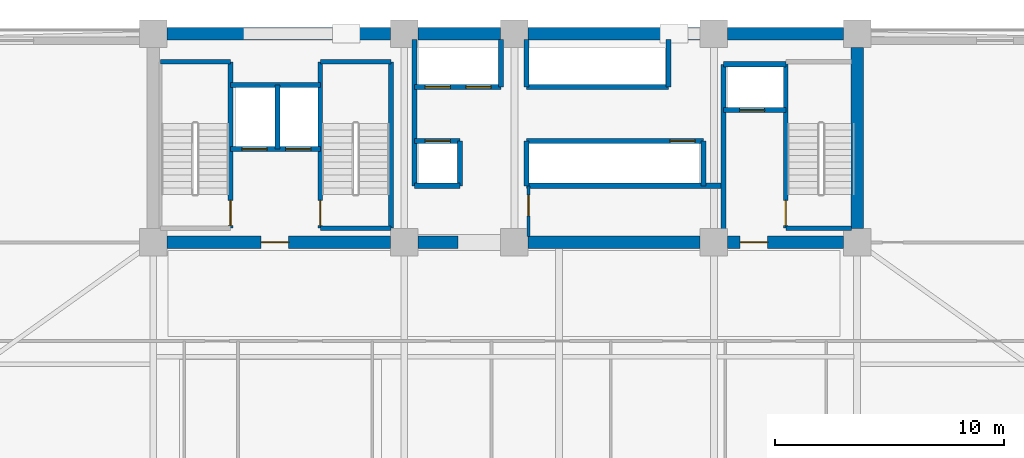
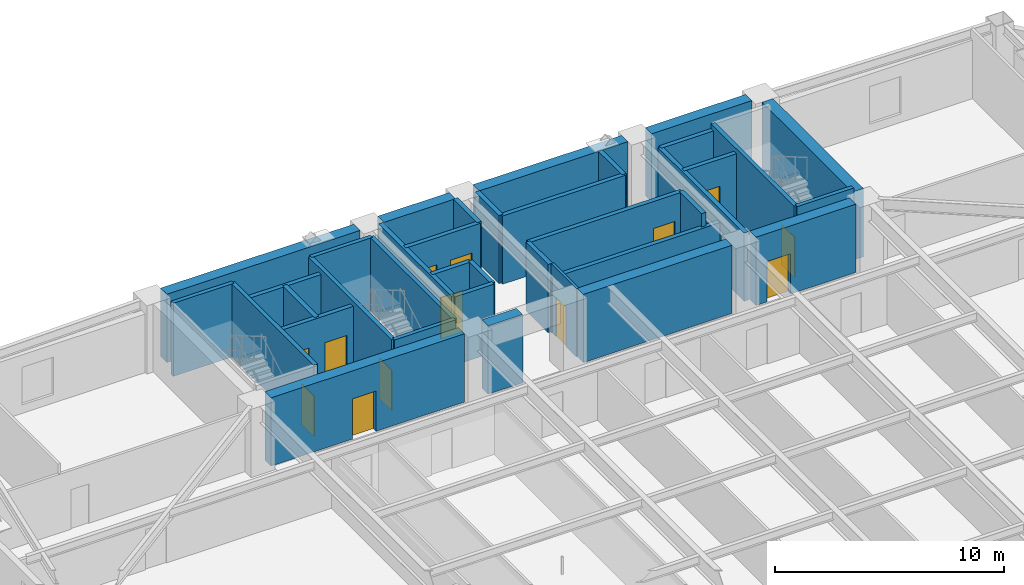
# One storey, part 9 of 15: 37 walls, 13 doors, 13 openings.
"""IFC4 building model written with IfcOpenShell, lengths in metres."""

from ifc_helpers import new_model, si_unit, direction, frame, frame_2d, origin, place, context, subcontext, project, spatial, rectangle, extrude, source, transform, mapped, material, layer, layer_set, type_object, element, fill, save


model = new_model("IFC4")

# Units and contexts
model_context = context("Model", 3, precision=1e-05, world=origin(), true_north=direction((0.0, 1.0)))
body_context = subcontext(model_context, "Body", "Model", "MODEL_VIEW")
ifc_project = project(units=[si_unit("LENGTHUNIT", "METRE"), si_unit("AREAUNIT", "SQUARE_METRE"), si_unit("VOLUMEUNIT", "CUBIC_METRE"), si_unit("PLANEANGLEUNIT", "RADIAN"), si_unit("MASSUNIT", "GRAM", prefix="KILO")], contexts=[model_context])

# Site, building, storey
site_placement = place(None, origin())
site = spatial("IfcSite", under=ifc_project, at=site_placement, CompositionType="ELEMENT")
building_placement = place(site_placement, origin())
building = spatial("IfcBuilding", under=site, at=building_placement, Name="Giltprow Tower", CompositionType="ELEMENT")
storey_placement = place(building_placement, frame((0.0, 0.0, 127.0)))
storey = spatial("IfcBuildingStorey", under=building, at=storey_placement, Name="L31", CompositionType="ELEMENT", Elevation=127.0)

# Wall, openings, doors
ifc_material_1 = material(Name="Concrete C40", Category="concrete")
ifc_layer_1 = layer(ifc_material_1, 0.219970703125, Name="Concrete C40")
ifc_layer_set_1 = layer_set([ifc_layer_1], Name="Concrete C40")
wall_type_1 = type_object("IfcWallType", Name="IW-SHAFT-220", PredefinedType="SOLIDWALL", material=ifc_layer_set_1)
wall_1_placement = place(storey_placement, frame((23.219970703125, 41.52001953125, 0.0), z_axis=(0.0, 0.0, 1.0), x_axis=(1.0, 0.0, 0.0)))
wall_1 = element("IfcWall", 1, at=wall_1_placement, inside=storey, type_object=wall_type_1, Name="L31 FFL1 and Service Lift Front Wall", PredefinedType="SOLIDWALL", context=body_context, shape_type="SweptSolid", body=[
    extrude(rectangle(XDim=3.919921875, YDim=0.219970703125, at=frame_2d((1.9599609375, 0.0))), origin(), (0.0, 0.0, 1.0), 3.639892578125),
])
opening_1_placement = place(wall_1_placement, frame((0.5, 0.0, 0.0)))
opening_1 = element("IfcOpeningElement", 2, at=opening_1_placement, cuts=wall_1, Name="Opening LD-11", PredefinedType="OPENING", context=body_context, shape_type="SweptSolid", body=[
    extrude(rectangle(XDim=1.10009765625, YDim=2.199951171875, at=frame_2d((0.550048828125, 1.10009765625))), frame((0.0, 0.119873046875, 0.0), z_axis=(0.0, -1.0, 0.0), x_axis=(1.0, 0.0, 0.0)), (0.0, 0.0, 1.0), 0.239990234375),
])
opening_2_placement = place(wall_1_placement, frame((2.39990234375, 0.0, 0.0)))
opening_2 = element("IfcOpeningElement", 3, at=opening_2_placement, cuts=wall_1, Name="Opening LD-11", PredefinedType="OPENING", context=body_context, shape_type="SweptSolid", body=[
    extrude(rectangle(XDim=1.10009765625, YDim=2.199951171875, at=frame_2d((0.550048828125, 1.10009765625))), frame((0.0, 0.119873046875, 0.0), z_axis=(0.0, -1.0, 0.0), x_axis=(1.0, 0.0, 0.0)), (0.0, 0.0, 1.0), 0.239990234375),
])
ifc_material_2 = material(Name="Stainless steel", Category="steel")
door_type_1 = type_object("IfcDoorType", Name="DR-LIFT-LD1100", OperationType="SLIDING_TO_LEFT", PredefinedType="DOOR", material=ifc_material_2)
shared_shape_1 = source(origin(), body_context, "Body", "SweptSolid", [
    extrude(rectangle(XDim=1.10009765625, YDim=2.199951171875, at=frame_2d((0.550048828125, 1.10009765625))), frame((0.0, 0.02490234375, 0.0), z_axis=(0.0, -1.0, 0.0), x_axis=(1.0, 0.0, 0.0)), (0.0, 0.0, 1.0), 0.050048828125),
])
door_1_placement = place(opening_1_placement, origin())
door_1 = element("IfcDoor", 4, at=door_1_placement, inside=storey, type_object=door_type_1, Name="L31 FFL1 Landing Door", OperationType="SLIDING_TO_LEFT", OverallHeight=2.199951171875, OverallWidth=1.10009765625, PredefinedType="DOOR", context=body_context, shape_type="MappedRepresentation", body=[
    mapped(shared_shape_1, transform((0.0, 0.0, 0.0), x_axis=(1.0, 0.0, 0.0), y_axis=(0.0, 1.0, 0.0), z_axis=(0.0, 0.0, 1.0), scale=1.0)),
])
fill(opening_1, door_1)
door_2_placement = place(opening_2_placement, origin())
door_2 = element("IfcDoor", 5, at=door_2_placement, inside=storey, type_object=door_type_1, Name="L31 SVL1 Landing Door", OperationType="SLIDING_TO_LEFT", OverallHeight=2.199951171875, OverallWidth=1.10009765625, PredefinedType="DOOR", context=body_context, shape_type="MappedRepresentation", body=[
    mapped(shared_shape_1, transform((0.0, 0.0, 0.0), x_axis=(1.0, 0.0, 0.0), y_axis=(0.0, 1.0, 0.0), z_axis=(0.0, 0.0, 1.0), scale=1.0)),
])
fill(opening_2, door_2)

# Walls
wall_2_placement = place(storey_placement, frame((25.260009765625, 41.52001953125, 0.0), z_axis=(0.0, 0.0, 1.0), x_axis=(0.0, 1.0, 0.0)))
element("IfcWall", 6, at=wall_2_placement, inside=storey, type_object=wall_type_1, Name="L31 FFL1-SVL1 Shaft Divider", PredefinedType="SOLIDWALL", context=body_context, shape_type="SweptSolid", body=[
    extrude(rectangle(XDim=2.800048828125, YDim=0.219970703125, at=frame_2d((1.39990234375, 0.0))), origin(), (0.0, 0.0, 1.0), 3.639892578125),
])
wall_3_placement = place(storey_placement, frame((23.219970703125, 44.320068359375, 0.0), z_axis=(0.0, 0.0, 1.0), x_axis=(1.0, 0.0, 0.0)))
element("IfcWall", 7, at=wall_3_placement, inside=storey, type_object=wall_type_1, Name="L31 FFL1-SVL1 Back Shaft Wall", PredefinedType="SOLIDWALL", context=body_context, shape_type="SweptSolid", body=[
    extrude(rectangle(XDim=3.919921875, YDim=0.219970703125, at=frame_2d((1.9599609375, 0.0))), origin(), (0.0, 0.0, 1.0), 3.639892578125),
])

# Wall, opening, door
wall_4_placement = place(storey_placement, frame((44.719970703125, 43.219970703125, 0.0), z_axis=(0.0, 0.0, 1.0), x_axis=(1.0, 0.0, 0.0)))
wall_4 = element("IfcWall", 8, at=wall_4_placement, inside=storey, type_object=wall_type_1, Name="L31 FFL2 Front Shaft Wall", PredefinedType="SOLIDWALL", context=body_context, shape_type="SweptSolid", body=[
    extrude(rectangle(XDim=2.719970703125, YDim=0.219970703125, at=frame_2d((1.35986328125, 0.0))), origin(), (0.0, 0.0, 1.0), 3.639892578125),
])
opening_3_placement = place(wall_4_placement, frame((0.699951171875, 0.0, 0.0)))
opening_3 = element("IfcOpeningElement", 9, at=opening_3_placement, cuts=wall_4, Name="Opening LD-11", PredefinedType="OPENING", context=body_context, shape_type="SweptSolid", body=[
    extrude(rectangle(XDim=1.10009765625, YDim=2.199951171875, at=frame_2d((0.550048828125, 1.10009765625))), frame((0.0, 0.119873046875, 0.0), z_axis=(0.0, -1.0, 0.0), x_axis=(1.0, 0.0, 0.0)), (0.0, 0.0, 1.0), 0.239990234375),
])
door_3_placement = place(opening_3_placement, origin())
door_3 = element("IfcDoor", 10, at=door_3_placement, inside=storey, type_object=door_type_1, Name="L31 FFL2 Landing Door", OperationType="SLIDING_TO_LEFT", OverallHeight=2.199951171875, OverallWidth=1.10009765625, PredefinedType="DOOR", context=body_context, shape_type="MappedRepresentation", body=[
    mapped(shared_shape_1, transform((0.0, 0.0, 0.0), x_axis=(1.0, 0.0, 0.0), y_axis=(0.0, 1.0, 0.0), z_axis=(0.0, 0.0, 1.0), scale=1.0)),
])
fill(opening_3, door_3)

# Walls
wall_5_placement = place(storey_placement, frame((44.719970703125, 45.219970703125, 0.0), z_axis=(0.0, 0.0, 1.0), x_axis=(1.0, 0.0, 0.0)))
element("IfcWall", 11, at=wall_5_placement, inside=storey, type_object=wall_type_1, Name="L31 FFL2 Back Shaft Wall", PredefinedType="SOLIDWALL", context=body_context, shape_type="SweptSolid", body=[
    extrude(rectangle(XDim=2.719970703125, YDim=0.219970703125, at=frame_2d((1.35986328125, 0.0))), origin(), (0.0, 0.0, 1.0), 3.639892578125),
])
wall_6_placement = place(storey_placement, frame((44.719970703125, 37.705078125, 0.0), z_axis=(0.0, 0.0, 1.0), x_axis=(0.0, 1.0, 0.0)))
element("IfcWall", 12, at=wall_6_placement, inside=storey, type_object=wall_type_1, Name="L31 East Firefighting Lobby West Wall", PredefinedType="SOLIDWALL", context=body_context, shape_type="SweptSolid", body=[
    extrude(rectangle(XDim=7.514892578125, YDim=0.219970703125, at=frame_2d((3.75732421875, 0.0))), origin(), (0.0, 0.0, 1.0), 3.639892578125),
])

# Wall, openings, doors
wall_7_placement = place(storey_placement, frame((31.25, 44.219970703125, 0.0), z_axis=(0.0, 0.0, 1.0), x_axis=(1.0, 0.0, 0.0)))
wall_7 = element("IfcWall", 13, at=wall_7_placement, inside=storey, type_object=wall_type_1, Name="L31 North West Lift Shaft Front Wall", PredefinedType="SOLIDWALL", context=body_context, shape_type="SweptSolid", body=[
    extrude(rectangle(XDim=3.77001953125, YDim=0.219970703125, at=frame_2d((1.885009765625, 0.0))), origin(), (0.0, 0.0, 1.0), 3.639892578125),
])
opening_4_placement = place(wall_7_placement, frame((0.4599609375, 0.0, 0.0)))
opening_4 = element("IfcOpeningElement", 14, at=opening_4_placement, cuts=wall_7, Name="Opening LD-11", PredefinedType="OPENING", context=body_context, shape_type="SweptSolid", body=[
    extrude(rectangle(XDim=1.10009765625, YDim=2.199951171875, at=frame_2d((0.550048828125, 1.10009765625))), frame((0.0, 0.119873046875, 0.0), z_axis=(0.0, -1.0, 0.0), x_axis=(1.0, 0.0, 0.0)), (0.0, 0.0, 1.0), 0.239990234375),
])
opening_5_placement = place(wall_7_placement, frame((2.239990234375, 0.0, 0.0)))
opening_5 = element("IfcOpeningElement", 15, at=opening_5_placement, cuts=wall_7, Name="Opening LD-11", PredefinedType="OPENING", context=body_context, shape_type="SweptSolid", body=[
    extrude(rectangle(XDim=1.10009765625, YDim=2.199951171875, at=frame_2d((0.550048828125, 1.10009765625))), frame((0.0, 0.119873046875, 0.0), z_axis=(0.0, -1.0, 0.0), x_axis=(1.0, 0.0, 0.0)), (0.0, 0.0, 1.0), 0.239990234375),
])
door_4_placement = place(opening_4_placement, origin())
door_4 = element("IfcDoor", 16, at=door_4_placement, inside=storey, type_object=door_type_1, Name="L31 PL-L1 Landing Door", OperationType="SLIDING_TO_LEFT", OverallHeight=2.199951171875, OverallWidth=1.10009765625, PredefinedType="DOOR", context=body_context, shape_type="MappedRepresentation", body=[
    mapped(shared_shape_1, transform((0.0, 0.0, 0.0), x_axis=(1.0, 0.0, 0.0), y_axis=(0.0, 1.0, 0.0), z_axis=(0.0, 0.0, 1.0), scale=1.0)),
])
fill(opening_4, door_4)
door_5_placement = place(opening_5_placement, origin())
door_5 = element("IfcDoor", 17, at=door_5_placement, inside=storey, type_object=door_type_1, Name="L31 PL-L2 Landing Door", OperationType="SLIDING_TO_LEFT", OverallHeight=2.199951171875, OverallWidth=1.10009765625, PredefinedType="DOOR", context=body_context, shape_type="MappedRepresentation", body=[
    mapped(shared_shape_1, transform((0.0, 0.0, 0.0), x_axis=(1.0, 0.0, 0.0), y_axis=(0.0, 1.0, 0.0), z_axis=(0.0, 0.0, 1.0), scale=1.0)),
])
fill(opening_5, door_5)

# Walls
wall_8_placement = place(storey_placement, frame((36.1201171875, 44.219970703125, 0.0), z_axis=(0.0, 0.0, 1.0), x_axis=(1.0, 0.0, 0.0)))
element("IfcWall", 18, at=wall_8_placement, inside=storey, type_object=wall_type_1, Name="L31 North East Lift Shaft Front Wall", PredefinedType="SOLIDWALL", context=body_context, shape_type="SweptSolid", body=[
    extrude(rectangle(XDim=6.199951171875, YDim=0.219970703125, at=frame_2d((3.10009765625, 0.0))), origin(), (0.0, 0.0, 1.0), 3.639892578125),
])
for number, where, z_axis, x_axis, name in (
    (19, (35.02001953125, 44.219970703125, 0.0), (0.0, 0.0, 1.0), (0.0, 1.0, 0.0), "L31 North West Lift Shaft East Closure"),
    (20, (36.1201171875, 44.219970703125, 0.0), (0.0, 0.0, 1.0), (0.0, 1.0, 0.0), "L31 North East Lift Shaft West Closure"),
    (21, (42.320068359375, 44.219970703125, 0.0), (0.0, 0.0, 1.0), (0.0, 1.0, 0.0), "L31 North East Lift Shaft East Closure"),
):
    element("IfcWall", number, at=place(storey_placement, frame(where, z_axis=z_axis, x_axis=x_axis)), inside=storey, type_object=wall_type_1, Name=name, PredefinedType="SOLIDWALL", context=body_context, shape_type="SweptSolid", body=[
        extrude(rectangle(XDim=2.074951171875, YDim=0.219970703125, at=frame_2d((1.03759765625, 0.0))), origin(), (0.0, 0.0, 1.0), 3.639892578125),
    ])

# Wall, opening, door
wall_9_placement = place(storey_placement, frame((31.25, 41.8798828125, 0.0), z_axis=(0.0, 0.0, 1.0), x_axis=(1.0, 0.0, 0.0)))
wall_9 = element("IfcWall", 22, at=wall_9_placement, inside=storey, type_object=wall_type_1, Name="L31 South West Lift Shaft Front Wall", PredefinedType="SOLIDWALL", context=body_context, shape_type="SweptSolid", body=[
    extrude(rectangle(XDim=1.969970703125, YDim=0.219970703125, at=frame_2d((0.98486328125, 0.0))), origin(), (0.0, 0.0, 1.0), 3.639892578125),
])
opening_6_placement = place(wall_9_placement, frame((0.4599609375, 0.0, 0.0)))
opening_6 = element("IfcOpeningElement", 23, at=opening_6_placement, cuts=wall_9, Name="Opening LD-11", PredefinedType="OPENING", context=body_context, shape_type="SweptSolid", body=[
    extrude(rectangle(XDim=1.10009765625, YDim=2.199951171875, at=frame_2d((0.550048828125, 1.10009765625))), frame((0.0, 0.119873046875, 0.0), z_axis=(0.0, -1.0, 0.0), x_axis=(1.0, 0.0, 0.0)), (0.0, 0.0, 1.0), 0.239990234375),
])
door_6_placement = place(opening_6_placement, origin())
door_6 = element("IfcDoor", 24, at=door_6_placement, inside=storey, type_object=door_type_1, Name="L31 PL-L3 Landing Door", OperationType="SLIDING_TO_LEFT", OverallHeight=2.199951171875, OverallWidth=1.10009765625, PredefinedType="DOOR", context=body_context, shape_type="MappedRepresentation", body=[
    mapped(shared_shape_1, transform((0.0, 0.0, 0.0), x_axis=(1.0, 0.0, 0.0), y_axis=(0.0, 1.0, 0.0), z_axis=(0.0, 0.0, 1.0), scale=1.0)),
])
fill(opening_6, door_6)

wall_10_placement = place(storey_placement, frame((36.1201171875, 41.8798828125, 0.0), z_axis=(0.0, 0.0, 1.0), x_axis=(1.0, 0.0, 0.0)))
wall_10 = element("IfcWall", 25, at=wall_10_placement, inside=storey, type_object=wall_type_1, Name="L31 South East Lift Shaft Front Wall", PredefinedType="SOLIDWALL", context=body_context, shape_type="SweptSolid", body=[
    extrude(rectangle(XDim=7.72998046875, YDim=0.219970703125, at=frame_2d((3.864990234375, 0.0))), origin(), (0.0, 0.0, 1.0), 3.639892578125),
])
opening_7_placement = place(wall_10_placement, frame((6.260009765625, 0.0, 0.0)))
opening_7 = element("IfcOpeningElement", 26, at=opening_7_placement, cuts=wall_10, Name="Opening LD-11", PredefinedType="OPENING", context=body_context, shape_type="SweptSolid", body=[
    extrude(rectangle(XDim=1.10009765625, YDim=2.199951171875, at=frame_2d((0.550048828125, 1.10009765625))), frame((0.0, 0.119873046875, 0.0), z_axis=(0.0, -1.0, 0.0), x_axis=(1.0, 0.0, 0.0)), (0.0, 0.0, 1.0), 0.239990234375),
])
door_7_placement = place(opening_7_placement, origin())
door_7 = element("IfcDoor", 27, at=door_7_placement, inside=storey, type_object=door_type_1, Name="L31 PL-L4 Landing Door", OperationType="SLIDING_TO_LEFT", OverallHeight=2.199951171875, OverallWidth=1.10009765625, PredefinedType="DOOR", context=body_context, shape_type="MappedRepresentation", body=[
    mapped(shared_shape_1, transform((0.0, 0.0, 0.0), x_axis=(1.0, 0.0, 0.0), y_axis=(0.0, 1.0, 0.0), z_axis=(0.0, 0.0, 1.0), scale=1.0)),
])
fill(opening_7, door_7)

# Walls
wall_11_placement = place(storey_placement, frame((31.25, 39.919921875, 0.0), z_axis=(0.0, 0.0, 1.0), x_axis=(1.0, 0.0, 0.0)))
element("IfcWall", 28, at=wall_11_placement, inside=storey, type_object=wall_type_1, Name="L31 Low-Rise South Lift Back Wall", PredefinedType="SOLIDWALL", context=body_context, shape_type="SweptSolid", body=[
    extrude(rectangle(XDim=1.969970703125, YDim=0.219970703125, at=frame_2d((0.98486328125, 0.0))), origin(), (0.0, 0.0, 1.0), 3.639892578125),
])
wall_12_placement = place(storey_placement, frame((33.219970703125, 39.919921875, 0.0), z_axis=(0.0, 0.0, 1.0), x_axis=(0.0, 1.0, 0.0)))
element("IfcWall", 29, at=wall_12_placement, inside=storey, type_object=wall_type_1, Name="L31 Low-Rise South Lift East Closure", PredefinedType="SOLIDWALL", context=body_context, shape_type="SweptSolid", body=[
    extrude(rectangle(XDim=1.9599609375, YDim=0.219970703125, at=frame_2d((0.97998046875, 0.0))), origin(), (0.0, 0.0, 1.0), 3.639892578125),
])
wall_13_placement = place(storey_placement, frame((36.1201171875, 39.919921875, 0.0), z_axis=(0.0, 0.0, 1.0), x_axis=(1.0, 0.0, 0.0)))
element("IfcWall", 30, at=wall_13_placement, inside=storey, type_object=wall_type_1, Name="L31 Express South Shaft Back Wall", PredefinedType="SOLIDWALL", context=body_context, shape_type="SweptSolid", body=[
    extrude(rectangle(XDim=8.599853515625, YDim=0.219970703125, at=frame_2d((4.2998046875, 0.0))), origin(), (0.0, 0.0, 1.0), 2.925048828125),
])
wall_14_placement = place(storey_placement, frame((36.1201171875, 39.919921875, 0.0), z_axis=(0.0, 0.0, 1.0), x_axis=(0.0, 1.0, 0.0)))
element("IfcWall", 31, at=wall_14_placement, inside=storey, type_object=wall_type_1, Name="L31 Express South Shaft West Closure", PredefinedType="SOLIDWALL", context=body_context, shape_type="SweptSolid", body=[
    extrude(rectangle(XDim=1.9599609375, YDim=0.219970703125, at=frame_2d((0.97998046875, 0.0))), origin(), (0.0, 0.0, 1.0), 3.639892578125),
])
wall_15_placement = place(storey_placement, frame((31.25, 39.919921875, 0.0), z_axis=(0.0, 0.0, 1.0), x_axis=(0.0, 1.0, 0.0)))
element("IfcWall", 32, at=wall_15_placement, inside=storey, type_object=wall_type_1, Name="L31 Lift Bank West Closure", PredefinedType="SOLIDWALL", context=body_context, shape_type="SweptSolid", body=[
    extrude(rectangle(XDim=6.375, YDim=0.219970703125, at=frame_2d((3.1875, 0.0))), origin(), (0.0, 0.0, 1.0), 3.639892578125),
])
wall_16_placement = place(storey_placement, frame((43.85009765625, 39.919921875, 0.0), z_axis=(0.0, 0.0, 1.0), x_axis=(0.0, 1.0, 0.0)))
element("IfcWall", 33, at=wall_16_placement, inside=storey, type_object=wall_type_1, Name="L31 Lift Bank South-East Closure", PredefinedType="SOLIDWALL", context=body_context, shape_type="SweptSolid", body=[
    extrude(rectangle(XDim=1.9599609375, YDim=0.219970703125, at=frame_2d((0.97998046875, 0.0))), origin(), (0.0, 0.0, 1.0), 3.639892578125),
])

# Wall, opening, door
ifc_layer_2 = layer(ifc_material_1, 0.199951171875, Name="Concrete C40")
ifc_layer_set_2 = layer_set([ifc_layer_2], Name="Concrete C40")
wall_type_2 = type_object("IfcWallType", Name="IW-STAIR-200", PredefinedType="SOLIDWALL", material=ifc_layer_set_2)
wall_17_placement = place(storey_placement, frame((23.219970703125, 38.070068359375, 0.0), z_axis=(0.0, 0.0, 1.0), x_axis=(0.0, 1.0, 0.0)))
wall_17 = element("IfcWall", 34, at=wall_17_placement, inside=storey, type_object=wall_type_2, Name="L31 Stair ST-1 East Bearing Wall", PredefinedType="SOLIDWALL", context=body_context, shape_type="SweptSolid", body=[
    extrude(rectangle(XDim=7.25, YDim=0.199951171875, at=frame_2d((3.625, 0.0))), origin(), (0.0, 0.0, 1.0), 3.89990234375),
])
opening_8_placement = place(wall_17_placement, frame((0.110107421875, 0.0, 0.0)))
opening_8 = element("IfcOpeningElement", 35, at=opening_8_placement, cuts=wall_17, Name="Opening ID33", PredefinedType="OPENING", context=body_context, shape_type="SweptSolid", body=[
    extrude(rectangle(XDim=1.10009765625, YDim=2.14990234375, at=frame_2d((0.550048828125, 1.074951171875))), frame((0.0, 0.10986328125, 0.0), z_axis=(0.0, -1.0, 0.0), x_axis=(1.0, 0.0, 0.0)), (0.0, 0.0, 1.0), 0.219970703125),
])
ifc_material_3 = material(Name="Steel fire leaf", Category="steel")
door_type_2 = type_object("IfcDoorType", Name="DR-STAIR-1100", OperationType="SINGLE_SWING_LEFT", PredefinedType="DOOR", material=ifc_material_3)
shared_shape_2 = source(origin(), body_context, "Body", "SweptSolid", [
    extrude(rectangle(XDim=1.10009765625, YDim=2.14990234375, at=frame_2d((0.550048828125, 1.074951171875))), frame((0.0, 0.02490234375, 0.0), z_axis=(0.0, -1.0, 0.0), x_axis=(1.0, 0.0, 0.0)), (0.0, 0.0, 1.0), 0.050048828125),
])
door_8_placement = place(opening_8_placement, origin())
door_8 = element("IfcDoor", 36, at=door_8_placement, inside=storey, type_object=door_type_2, Name="L31 Stair ST-1 Fire Door", OperationType="SINGLE_SWING_RIGHT", OverallHeight=2.14990234375, OverallWidth=1.10009765625, PredefinedType="DOOR", context=body_context, shape_type="MappedRepresentation", body=[
    mapped(shared_shape_2, transform((0.0, 0.0, 0.0), x_axis=(1.0, 0.0, 0.0), y_axis=(0.0, 1.0, 0.0), z_axis=(0.0, 0.0, 1.0), scale=1.0)),
])
fill(opening_8, door_8)

# Wall
wall_18_placement = place(storey_placement, frame((20.169921875, 45.320068359375, 0.0), z_axis=(0.0, 0.0, 1.0), x_axis=(1.0, 0.0, 0.0)))
element("IfcWall", 37, at=wall_18_placement, inside=storey, type_object=wall_type_2, Name="L31 Stair ST-1 North Bearing Wall", PredefinedType="SOLIDWALL", context=body_context, shape_type="SweptSolid", body=[
    extrude(rectangle(XDim=3.050048828125, YDim=0.199951171875, at=frame_2d((1.52490234375, 0.0))), origin(), (0.0, 0.0, 1.0), 3.89990234375),
])

# Wall, opening, door
wall_19_placement = place(storey_placement, frame((27.139892578125, 38.070068359375, 0.0), z_axis=(0.0, 0.0, 1.0), x_axis=(0.0, 1.0, 0.0)))
wall_19 = element("IfcWall", 38, at=wall_19_placement, inside=storey, type_object=wall_type_2, Name="L31 Stair ST-2 West Bearing Wall", PredefinedType="SOLIDWALL", context=body_context, shape_type="SweptSolid", body=[
    extrude(rectangle(XDim=7.25, YDim=0.199951171875, at=frame_2d((3.625, 0.0))), origin(), (0.0, 0.0, 1.0), 3.89990234375),
])
opening_9_placement = place(wall_19_placement, frame((0.110107421875, 0.0, 0.0)))
opening_9 = element("IfcOpeningElement", 39, at=opening_9_placement, cuts=wall_19, Name="Opening ID33", PredefinedType="OPENING", context=body_context, shape_type="SweptSolid", body=[
    extrude(rectangle(XDim=1.10009765625, YDim=2.14990234375, at=frame_2d((0.550048828125, 1.074951171875))), frame((0.0, 0.10986328125, 0.0), z_axis=(0.0, -1.0, 0.0), x_axis=(1.0, 0.0, 0.0)), (0.0, 0.0, 1.0), 0.219970703125),
])
door_9_placement = place(opening_9_placement, origin())
door_9 = element("IfcDoor", 40, at=door_9_placement, inside=storey, type_object=door_type_2, Name="L31 Stair ST-2 Fire Door", OperationType="SINGLE_SWING_LEFT", OverallHeight=2.14990234375, OverallWidth=1.10009765625, PredefinedType="DOOR", context=body_context, shape_type="MappedRepresentation", body=[
    mapped(shared_shape_2, transform((0.0, 0.0, 0.0), x_axis=(1.0, 0.0, 0.0), y_axis=(0.0, 1.0, 0.0), z_axis=(0.0, 0.0, 1.0), scale=1.0)),
])
fill(opening_9, door_9)

# Walls
wall_20_placement = place(storey_placement, frame((30.219970703125, 38.070068359375, 0.0), z_axis=(0.0, 0.0, 1.0), x_axis=(0.0, 1.0, 0.0)))
element("IfcWall", 41, at=wall_20_placement, inside=storey, type_object=wall_type_2, Name="L31 Stair ST-2 East Bearing Wall", PredefinedType="SOLIDWALL", context=body_context, shape_type="SweptSolid", body=[
    extrude(rectangle(XDim=7.25, YDim=0.199951171875, at=frame_2d((3.625, 0.0))), origin(), (0.0, 0.0, 1.0), 3.89990234375),
])
for number, where, z_axis, x_axis, name in (
    (42, (27.139892578125, 45.320068359375, 0.0), (0.0, 0.0, 1.0), (1.0, 0.0, 0.0), "L31 Stair ST-2 North Bearing Wall"),
    (43, (27.139892578125, 38.070068359375, 0.0), (0.0, 0.0, 1.0), (1.0, 0.0, 0.0), "L31 Stair ST-2 South Bearing Wall"),
):
    element("IfcWall", number, at=place(storey_placement, frame(where, z_axis=z_axis, x_axis=x_axis)), inside=storey, type_object=wall_type_2, Name=name, PredefinedType="SOLIDWALL", context=body_context, shape_type="SweptSolid", body=[
        extrude(rectangle(XDim=3.080078125, YDim=0.199951171875, at=frame_2d((1.5400390625, 0.0))), origin(), (0.0, 0.0, 1.0), 3.89990234375),
    ])

# Wall, opening, door
wall_21_placement = place(storey_placement, frame((47.43994140625, 38.070068359375, 0.0), z_axis=(0.0, 0.0, 1.0), x_axis=(0.0, 1.0, 0.0)))
wall_21 = element("IfcWall", 44, at=wall_21_placement, inside=storey, type_object=wall_type_2, Name="L31 Stair ST-3 West Bearing Wall", PredefinedType="SOLIDWALL", context=body_context, shape_type="SweptSolid", body=[
    extrude(rectangle(XDim=7.25, YDim=0.199951171875, at=frame_2d((3.625, 0.0))), origin(), (0.0, 0.0, 1.0), 3.89990234375),
])
opening_10_placement = place(wall_21_placement, frame((0.110107421875, 0.0, 0.0)))
opening_10 = element("IfcOpeningElement", 45, at=opening_10_placement, cuts=wall_21, Name="Opening ID33", PredefinedType="OPENING", context=body_context, shape_type="SweptSolid", body=[
    extrude(rectangle(XDim=1.10009765625, YDim=2.14990234375, at=frame_2d((0.550048828125, 1.074951171875))), frame((0.0, 0.10986328125, 0.0), z_axis=(0.0, -1.0, 0.0), x_axis=(1.0, 0.0, 0.0)), (0.0, 0.0, 1.0), 0.219970703125),
])
door_10_placement = place(opening_10_placement, origin())
door_10 = element("IfcDoor", 46, at=door_10_placement, inside=storey, type_object=door_type_2, Name="L31 Stair ST-3 Fire Door", OperationType="SINGLE_SWING_RIGHT", OverallHeight=2.14990234375, OverallWidth=1.10009765625, PredefinedType="DOOR", context=body_context, shape_type="MappedRepresentation", body=[
    mapped(shared_shape_2, transform((0.0, 0.0, 0.0), x_axis=(1.0, 0.0, 0.0), y_axis=(0.0, 1.0, 0.0), z_axis=(0.0, 0.0, 1.0), scale=1.0)),
])
fill(opening_10, door_10)

# Wall
wall_22_placement = place(storey_placement, frame((47.43994140625, 38.070068359375, 0.0), z_axis=(0.0, 0.0, 1.0), x_axis=(1.0, 0.0, 0.0)))
element("IfcWall", 47, at=wall_22_placement, inside=storey, type_object=wall_type_2, Name="L31 Stair ST-3 South Bearing Wall", PredefinedType="SOLIDWALL", context=body_context, shape_type="SweptSolid", body=[
    extrude(rectangle(XDim=2.85498046875, YDim=0.199951171875, at=frame_2d((1.427490234375, 0.0))), origin(), (0.0, 0.0, 1.0), 3.89990234375),
])

# Wall, opening, door
ifc_material_4 = material(Name="Concrete C30", Category="concrete")
ifc_layer_3 = layer(ifc_material_4, 0.1298828125, Name="Concrete C30")
ifc_layer_set_3 = layer_set([ifc_layer_3], Name="Concrete C30")
wall_type_3 = type_object("IfcWallType", Name="IW-WET-130", PredefinedType="PARTITIONING", material=ifc_layer_set_3)
wall_23_placement = place(storey_placement, frame((36.219970703125, 37.705078125, 0.0), z_axis=(0.0, 0.0, 1.0), x_axis=(0.0, 1.0, 0.0)))
wall_23 = element("IfcWall", 48, at=wall_23_placement, inside=storey, type_object=wall_type_3, Name="L31 Core Suite West Wall", PredefinedType="PARTITIONING", context=body_context, shape_type="SweptSolid", body=[
    extrude(rectangle(XDim=2.21484375, YDim=0.1298828125, at=frame_2d((1.107421875, 0.0))), origin(), (0.0, 0.0, 1.0), 3.639892578125),
])
opening_11_placement = place(wall_23_placement, frame((0.905029296875, 0.0, 0.0)))
opening_11 = element("IfcOpeningElement", 49, at=opening_11_placement, cuts=wall_23, Name="Opening ID35", PredefinedType="OPENING", context=body_context, shape_type="SweptSolid", body=[
    extrude(rectangle(XDim=0.89990234375, YDim=2.10009765625, at=frame_2d((0.449951171875, 1.050048828125))), frame((0.0, 0.074951171875, 0.0), z_axis=(0.0, -1.0, 0.0), x_axis=(1.0, 0.0, 0.0)), (0.0, 0.0, 1.0), 0.14990234375),
])
door_type_3 = type_object("IfcDoorType", Name="DR-SHAFT-900", OperationType="SINGLE_SWING_LEFT", PredefinedType="DOOR", material=ifc_material_3)
shared_shape_3 = source(origin(), body_context, "Body", "SweptSolid", [
    extrude(rectangle(XDim=0.89990234375, YDim=2.10009765625, at=frame_2d((0.449951171875, 1.050048828125))), frame((0.0, 0.02490234375, 0.0), z_axis=(0.0, -1.0, 0.0), x_axis=(1.0, 0.0, 0.0)), (0.0, 0.0, 1.0), 0.050048828125),
])
door_11_placement = place(opening_11_placement, origin())
door_11 = element("IfcDoor", 50, at=door_11_placement, inside=storey, type_object=door_type_3, Name="L31 Core Staff Washroom Door", OperationType="SINGLE_SWING_RIGHT", OverallHeight=2.10009765625, OverallWidth=0.89990234375, PredefinedType="DOOR", context=body_context, shape_type="MappedRepresentation", body=[
    mapped(shared_shape_3, transform((0.0, 0.0, 0.0), x_axis=(1.0, 0.0, 0.0), y_axis=(0.0, 1.0, 0.0), z_axis=(0.0, 0.0, 1.0), scale=1.0)),
])
fill(opening_11, door_11)

# Walls
ifc_material_5 = material(Name="Concrete C60", Category="concrete")
ifc_layer_4 = layer(ifc_material_5, 0.550048828125, Name="Concrete C60")
ifc_layer_set_4 = layer_set([ifc_layer_4], Name="Concrete C60")
wall_type_4 = type_object("IfcWallType", Name="SW-EXT-550-C60", PredefinedType="SHEAR", material=ifc_layer_set_4)
wall_24_placement = place(storey_placement, frame((20.449951171875, 46.550048828125, 0.0), z_axis=(0.0, 0.0, 1.0), x_axis=(1.0, 0.0, 0.0)))
element("IfcWall", 51, at=wall_24_placement, inside=storey, type_object=wall_type_4, Name="L31 North Rear Core Shear Wall 1", PredefinedType="SHEAR", context=body_context, shape_type="SweptSolid", body=[
    extrude(rectangle(XDim=9.75, YDim=0.550048828125, at=frame_2d((4.875, 0.0))), origin(), (0.0, 0.0, 1.0), 3.639892578125),
])
wall_25_placement = place(storey_placement, frame((31.39990234375, 46.550048828125, 0.0), z_axis=(0.0, 0.0, 1.0), x_axis=(1.0, 0.0, 0.0)))
element("IfcWall", 52, at=wall_25_placement, inside=storey, type_object=wall_type_4, Name="L31 North Rear Core Shear Wall 2", PredefinedType="SHEAR", context=body_context, shape_type="SweptSolid", body=[
    extrude(rectangle(XDim=3.60009765625, YDim=0.550048828125, at=frame_2d((1.800048828125, 0.0))), origin(), (0.0, 0.0, 1.0), 3.639892578125),
])
wall_26_placement = place(storey_placement, frame((36.199951171875, 46.550048828125, 0.0), z_axis=(0.0, 0.0, 1.0), x_axis=(1.0, 0.0, 0.0)))
element("IfcWall", 53, at=wall_26_placement, inside=storey, type_object=wall_type_4, Name="L31 North Rear Core Shear Wall 3", PredefinedType="SHEAR", context=body_context, shape_type="SweptSolid", body=[
    extrude(rectangle(XDim=7.5, YDim=0.550048828125, at=frame_2d((3.75, 0.0))), origin(), (0.0, 0.0, 1.0), 3.639892578125),
])
wall_27_placement = place(storey_placement, frame((44.89990234375, 46.550048828125, 0.0), z_axis=(0.0, 0.0, 1.0), x_axis=(1.0, 0.0, 0.0)))
element("IfcWall", 54, at=wall_27_placement, inside=storey, type_object=wall_type_4, Name="L31 North Rear Core Shear Wall 4", PredefinedType="SHEAR", context=body_context, shape_type="SweptSolid", body=[
    extrude(rectangle(XDim=5.050048828125, YDim=0.550048828125, at=frame_2d((2.52490234375, 0.0))), origin(), (0.0, 0.0, 1.0), 3.639892578125),
])

# Wall, opening, door
ifc_layer_5 = layer(ifc_material_5, 0.550048828125, Name="Concrete C60")
ifc_layer_set_5 = layer_set([ifc_layer_5], Name="Concrete C60")
wall_type_5 = type_object("IfcWallType", Name="SW-INT-550-C60", PredefinedType="SHEAR", material=ifc_layer_set_5)
wall_28_placement = place(storey_placement, frame((20.449951171875, 37.449951171875, 0.0), z_axis=(0.0, 0.0, 1.0), x_axis=(1.0, 0.0, 0.0)))
wall_28 = element("IfcWall", 55, at=wall_28_placement, inside=storey, type_object=wall_type_5, Name="L31 South Rear Core Shear Wall West", PredefinedType="SHEAR", context=body_context, shape_type="SweptSolid", body=[
    extrude(rectangle(XDim=9.75, YDim=0.550048828125, at=frame_2d((4.875, 0.0))), origin(), (0.0, 0.0, 1.0), 3.639892578125),
])
opening_12_placement = place(wall_28_placement, frame((4.10009765625, 0.0, 0.0)))
opening_12 = element("IfcOpeningElement", 56, at=opening_12_placement, cuts=wall_28, Name="Opening ID19", PredefinedType="OPENING", context=body_context, shape_type="SweptSolid", body=[
    extrude(rectangle(XDim=1.199951171875, YDim=2.14990234375, at=frame_2d((0.60009765625, 1.074951171875))), frame((0.0, 0.284912109375, 0.0), z_axis=(0.0, -1.0, 0.0), x_axis=(1.0, 0.0, 0.0)), (0.0, 0.0, 1.0), 0.570068359375),
])
door_type_4 = type_object("IfcDoorType", Name="DR-FFLOBBY-1200", OperationType="SINGLE_SWING_RIGHT", PredefinedType="DOOR", material=ifc_material_3)
shared_shape_4 = source(origin(), body_context, "Body", "SweptSolid", [
    extrude(rectangle(XDim=1.199951171875, YDim=2.14990234375, at=frame_2d((0.60009765625, 1.074951171875))), frame((0.0, 0.02490234375, 0.0), z_axis=(0.0, -1.0, 0.0), x_axis=(1.0, 0.0, 0.0)), (0.0, 0.0, 1.0), 0.050048828125),
])
door_12_placement = place(opening_12_placement, origin())
door_12 = element("IfcDoor", 57, at=door_12_placement, inside=storey, type_object=door_type_4, Name="L31 West Firefighting Lobby Entry Door", OperationType="SINGLE_SWING_LEFT", OverallHeight=2.14990234375, OverallWidth=1.199951171875, PredefinedType="DOOR", context=body_context, shape_type="MappedRepresentation", body=[
    mapped(shared_shape_4, transform((0.0, 0.0, 0.0), x_axis=(1.0, 0.0, 0.0), y_axis=(0.0, 1.0, 0.0), z_axis=(0.0, 0.0, 1.0), scale=1.0)),
])
fill(opening_12, door_12)

# Walls
wall_29_placement = place(storey_placement, frame((31.39990234375, 37.449951171875, 0.0), z_axis=(0.0, 0.0, 1.0), x_axis=(1.0, 0.0, 0.0)))
element("IfcWall", 58, at=wall_29_placement, inside=storey, type_object=wall_type_5, Name="L31 South Rear Core Shear Wall Mid-West", PredefinedType="SHEAR", context=body_context, shape_type="SweptSolid", body=[
    extrude(rectangle(XDim=1.75, YDim=0.550048828125, at=frame_2d((0.875, 0.0))), origin(), (0.0, 0.0, 1.0), 3.639892578125),
])
wall_30_placement = place(storey_placement, frame((36.199951171875, 37.449951171875, 0.0), z_axis=(0.0, 0.0, 1.0), x_axis=(1.0, 0.0, 0.0)))
element("IfcWall", 59, at=wall_30_placement, inside=storey, type_object=wall_type_5, Name="L31 South Rear Core Shear Wall Mid-East", PredefinedType="SHEAR", context=body_context, shape_type="SweptSolid", body=[
    extrude(rectangle(XDim=7.5, YDim=0.550048828125, at=frame_2d((3.75, 0.0))), origin(), (0.0, 0.0, 1.0), 3.639892578125),
])

# Wall, opening, door
wall_31_placement = place(storey_placement, frame((44.89990234375, 37.449951171875, 0.0), z_axis=(0.0, 0.0, 1.0), x_axis=(1.0, 0.0, 0.0)))
wall_31 = element("IfcWall", 60, at=wall_31_placement, inside=storey, type_object=wall_type_5, Name="L31 South Rear Core Shear Wall East", PredefinedType="SHEAR", context=body_context, shape_type="SweptSolid", body=[
    extrude(rectangle(XDim=5.050048828125, YDim=0.550048828125, at=frame_2d((2.52490234375, 0.0))), origin(), (0.0, 0.0, 1.0), 3.639892578125),
])
opening_13_placement = place(wall_31_placement, frame((0.550048828125, 0.0, 0.0)))
opening_13 = element("IfcOpeningElement", 61, at=opening_13_placement, cuts=wall_31, Name="Opening ID19", PredefinedType="OPENING", context=body_context, shape_type="SweptSolid", body=[
    extrude(rectangle(XDim=1.199951171875, YDim=2.14990234375, at=frame_2d((0.60009765625, 1.074951171875))), frame((0.0, 0.284912109375, 0.0), z_axis=(0.0, -1.0, 0.0), x_axis=(1.0, 0.0, 0.0)), (0.0, 0.0, 1.0), 0.570068359375),
])
door_13_placement = place(opening_13_placement, origin())
door_13 = element("IfcDoor", 62, at=door_13_placement, inside=storey, type_object=door_type_4, Name="L31 East Firefighting Lobby Entry Door", OperationType="SINGLE_SWING_RIGHT", OverallHeight=2.14990234375, OverallWidth=1.199951171875, PredefinedType="DOOR", context=body_context, shape_type="MappedRepresentation", body=[
    mapped(shared_shape_4, transform((0.0, 0.0, 0.0), x_axis=(1.0, 0.0, 0.0), y_axis=(0.0, 1.0, 0.0), z_axis=(0.0, 0.0, 1.0), scale=1.0)),
])
fill(opening_13, door_13)

# Wall
wall_32_placement = place(storey_placement, frame((50.550048828125, 38.050048828125, 0.0), z_axis=(0.0, 0.0, 1.0), x_axis=(0.0, 1.0, 0.0)))
element("IfcWall", 63, at=wall_32_placement, inside=storey, type_object=wall_type_5, Name="L31 E Rear Core Shear Wall", PredefinedType="SHEAR", context=body_context, shape_type="SweptSolid", body=[
    extrude(rectangle(XDim=7.89990234375, YDim=0.550048828125, at=frame_2d((3.949951171875, 0.0))), origin(), (0.0, 0.0, 1.0), 3.639892578125),
])

save(model, "model.ifc")
